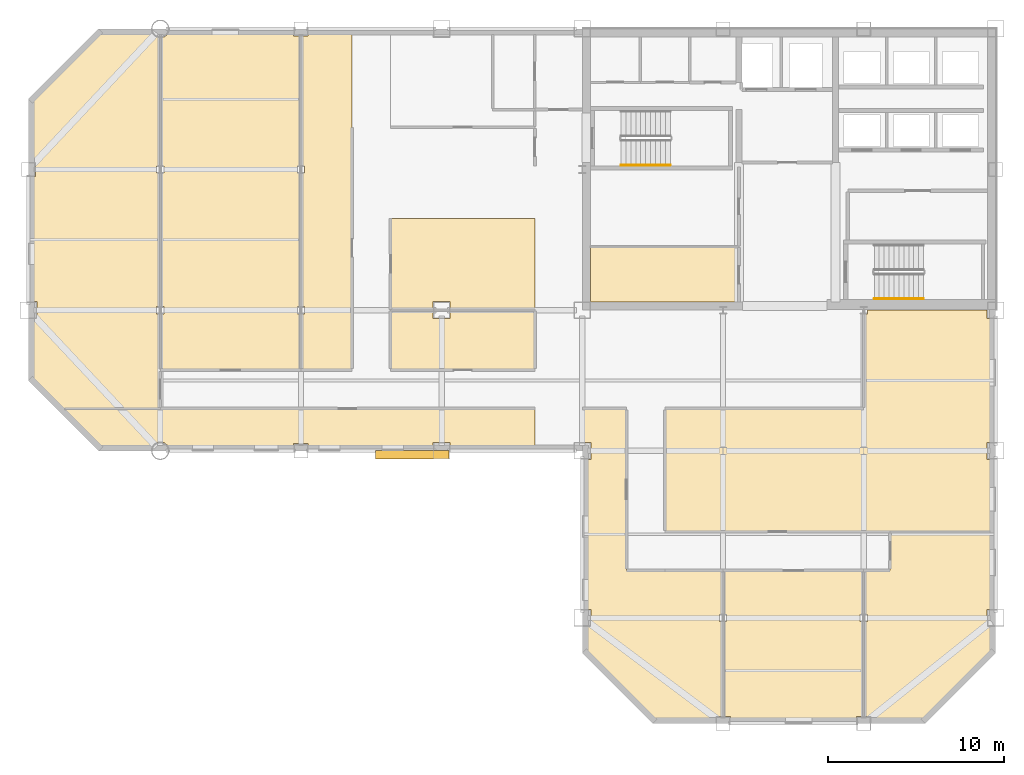
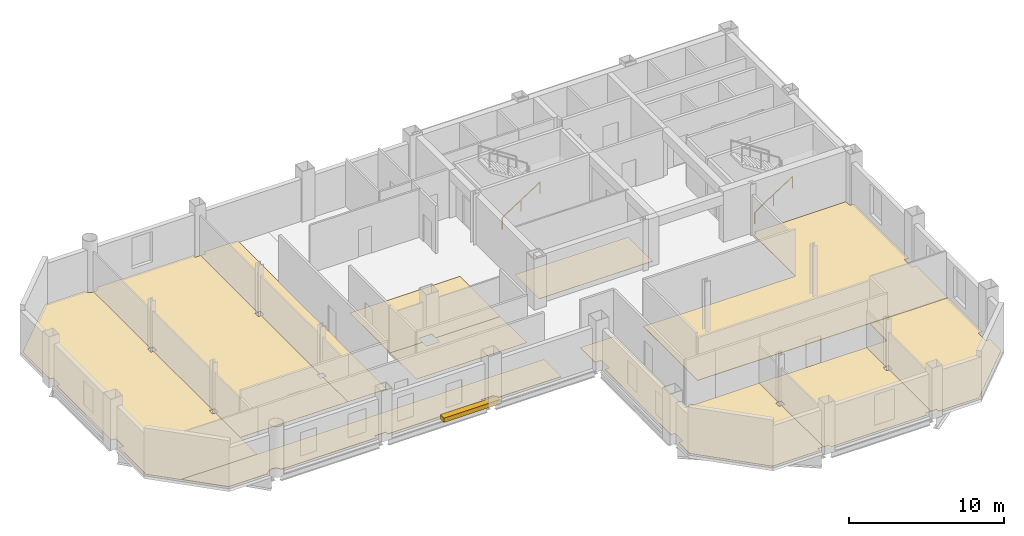
# One storey, part 7 of 9: 11 coverings, 2 railings, 1 shading device.
"""IFC4 building model written with IfcOpenShell, lengths in metres."""

from ifc_helpers import new_model, si_unit, direction, frame, origin, origin_2d, place, context, subcontext, project, spatial, polyline, rectangle, circle, outline, extrude, material, layer, layer_set, type_object, element, save


model = new_model("IFC4")

# Units and contexts
model_context = context("Model", 3, precision=1e-05, world=origin(), true_north=direction((0.0, 1.0)))
body_context = subcontext(model_context, "Body", "Model", "MODEL_VIEW")
ifc_project = project(units=[si_unit("LENGTHUNIT", "METRE"), si_unit("AREAUNIT", "SQUARE_METRE"), si_unit("VOLUMEUNIT", "CUBIC_METRE"), si_unit("PLANEANGLEUNIT", "RADIAN"), si_unit("MASSUNIT", "GRAM", prefix="KILO")], contexts=[model_context])

# Site, building, storey
site_placement = place(None, origin())
site = spatial("IfcSite", under=ifc_project, at=site_placement, CompositionType="ELEMENT")
building_placement = place(site_placement, origin())
building = spatial("IfcBuilding", under=site, at=building_placement, Name="Qianrong Seaharbour Tower", CompositionType="ELEMENT")
storey_placement = place(building_placement, frame((0.0, 0.0, 221.800048828125)))
storey = spatial("IfcBuildingStorey", under=building, at=storey_placement, Name="L53", CompositionType="ELEMENT", Elevation=221.800048828125)

# Coverings
ifc_material_1 = material(Name="Acoustic modular carpet tile flooring")
ifc_layer_1 = layer(ifc_material_1, 0.02001953125)
ifc_layer_set_1 = layer_set([ifc_layer_1], Name="Acoustic modular carpet tile flooring")
covering_type_1 = type_object("IfcCoveringType", Name="COV-FLOOR-CARPET-20", PredefinedType="FLOORING", material=ifc_layer_set_1)
covering_1_placement = place(storey_placement, origin())
element("IfcCovering", 1, at=covering_1_placement, inside=storey, type_object=covering_type_1, Name="L53 Wellness Room Finish Flooring", PredefinedType="FLOORING", context=body_context, shape_type="SweptSolid", body=[
    extrude(outline(polyline([(49.39990234375, 39.60009765625), (49.39990234375, 36.4599609375), (40.985107421875, 36.4599609375), (40.985107421875, 36.485107421875), (40.9599609375, 36.485107421875), (40.9599609375, 39.60009765625), (49.39990234375, 39.60009765625)])), origin(), (0.0, 0.0, 1.0), 0.02001953125),
])
covering_2_placement = place(storey_placement, origin())
element("IfcCovering", 2, at=covering_2_placement, inside=storey, type_object=covering_type_1, Name="L53 Boardroom 1 Finish Flooring", PredefinedType="FLOORING", context=body_context, shape_type="SweptSolid", body=[
    extrude(outline(polyline([(9.1650390625, 32.068359375), (9.1650390625, 35.514892578125), (9.485107421875, 35.514892578125), (9.485107421875, 36.485107421875), (9.1650390625, 36.485107421875), (9.1650390625, 43.590087890625), (9.409912109375, 43.590087890625), (9.409912109375, 44.409912109375), (9.1650390625, 44.409912109375), (9.1650390625, 47.931640625), (13.068359375, 51.8349609375), (16.019775390625, 51.8349609375), (16.02880859375, 51.8046875), (16.075927734375, 51.716796875), (16.139404296875, 51.639404296875), (16.216796875, 51.575927734375), (16.3046875, 51.52880859375), (16.400390625, 51.499755859375), (16.5, 51.489990234375), (16.5, 44.2099609375), (16.2900390625, 44.2099609375), (16.2900390625, 43.7900390625), (16.5, 43.7900390625), (16.5, 36.2099609375), (16.2900390625, 36.2099609375), (16.2900390625, 35.7900390625), (16.5, 35.7900390625), (16.5, 30.39990234375), (10.833251953125, 30.39990234375), (9.1650390625, 32.068359375)])), origin(), (0.0, 0.0, 1.0), 0.02001953125),
])
covering_3_placement = place(storey_placement, origin())
element("IfcCovering", 3, at=covering_3_placement, inside=storey, type_object=covering_type_1, Name="L53 Meeting Room 2 Finish Flooring", PredefinedType="FLOORING", context=body_context, shape_type="SweptSolid", body=[
    extrude(outline(polyline([(24.090087890625, 51.8349609375), (24.090087890625, 51.590087890625), (24.5, 51.590087890625), (24.5, 44.2099609375), (24.2900390625, 44.2099609375), (24.2900390625, 43.7900390625), (24.5, 43.7900390625), (24.5, 36.2099609375), (24.2900390625, 36.2099609375), (24.2900390625, 35.7900390625), (24.5, 35.7900390625), (24.5, 32.60009765625), (16.5, 32.60009765625), (16.5, 35.7900390625), (16.7099609375, 35.7900390625), (16.7099609375, 36.2099609375), (16.5, 36.2099609375), (16.5, 43.7900390625), (16.7099609375, 43.7900390625), (16.7099609375, 44.2099609375), (16.5, 44.2099609375), (16.5, 51.489990234375), (16.599609375, 51.499755859375), (16.6953125, 51.52880859375), (16.783203125, 51.575927734375), (16.860595703125, 51.639404296875), (16.924072265625, 51.716796875), (16.97119140625, 51.8046875), (16.980224609375, 51.8349609375), (24.090087890625, 51.8349609375)])), origin(), (0.0, 0.0, 1.0), 0.02001953125),
])
covering_4_placement = place(storey_placement, origin())
element("IfcCovering", 4, at=covering_4_placement, inside=storey, type_object=covering_type_1, Name="L53 Project Library 3 Finish Flooring", PredefinedType="FLOORING", context=body_context, shape_type="SweptSolid", body=[
    extrude(outline(polyline([(27.39990234375, 51.8349609375), (27.39990234375, 32.60009765625), (24.5, 32.60009765625), (24.5, 35.7900390625), (24.7099609375, 35.7900390625), (24.7099609375, 36.2099609375), (24.5, 36.2099609375), (24.5, 43.7900390625), (24.7099609375, 43.7900390625), (24.7099609375, 44.2099609375), (24.5, 44.2099609375), (24.5, 51.590087890625), (24.909912109375, 51.590087890625), (24.909912109375, 51.8349609375), (27.39990234375, 51.8349609375)])), origin(), (0.0, 0.0, 1.0), 0.02001953125),
])
covering_5_placement = place(storey_placement, origin())
element("IfcCovering", 5, at=covering_5_placement, inside=storey, type_object=covering_type_1, Name="L53 Harbour Lecture Hall 1 Finish Flooring", PredefinedType="FLOORING", context=body_context, shape_type="SweptSolid", body=[
    extrude(outline(polyline([(32.014892578125, 36.0), (32.014892578125, 35.514892578125), (32.985107421875, 35.514892578125), (32.985107421875, 36.0), (37.800048828125, 36.0), (37.800048828125, 32.60009765625), (29.60009765625, 32.60009765625), (29.60009765625, 36.0), (32.014892578125, 36.0)])), origin(), (0.0, 0.0, 1.0), 0.02001953125),
])
covering_6_placement = place(storey_placement, origin())
element("IfcCovering", 6, at=covering_6_placement, inside=storey, type_object=covering_type_1, Name="L53 Division Conference Gallery 2 Finish Flooring", PredefinedType="FLOORING", context=body_context, shape_type="SweptSolid", body=[
    extrude(outline(polyline([(37.800048828125, 41.199951171875), (37.800048828125, 36.0), (32.985107421875, 36.0), (32.985107421875, 36.485107421875), (32.014892578125, 36.485107421875), (32.014892578125, 36.0), (29.60009765625, 36.0), (29.60009765625, 41.199951171875), (37.800048828125, 41.199951171875)])), origin(), (0.0, 0.0, 1.0), 0.02001953125),
])
covering_7_placement = place(storey_placement, origin())
element("IfcCovering", 7, at=covering_7_placement, inside=storey, type_object=covering_type_1, Name="L53 Maritime Seminar Room 1 Finish Flooring", PredefinedType="FLOORING", context=body_context, shape_type="SweptSolid", body=[
    extrude(outline(polyline([(43.0, 21.199951171875), (48.5, 21.199951171875), (48.5, 18.7099609375), (48.2900390625, 18.7099609375), (48.2900390625, 18.2900390625), (48.5, 18.2900390625), (48.5, 12.909912109375), (48.090087890625, 12.909912109375), (48.090087890625, 12.6650390625), (44.568359375, 12.6650390625), (40.6650390625, 16.568359375), (40.6650390625, 18.014892578125), (40.985107421875, 18.014892578125), (40.985107421875, 18.985107421875), (40.6650390625, 18.985107421875), (40.6650390625, 27.514892578125), (40.985107421875, 27.514892578125), (40.985107421875, 28.485107421875), (40.5, 28.485107421875), (40.5, 30.39990234375), (43.0, 30.39990234375), (43.0, 21.199951171875)])), origin(), (0.0, 0.0, 1.0), 0.02001953125),
])
covering_8_placement = place(storey_placement, origin())
element("IfcCovering", 8, at=covering_8_placement, inside=storey, type_object=covering_type_1, Name="L53 Meeting Room 2 Finish Flooring", PredefinedType="FLOORING", context=body_context, shape_type="SweptSolid", body=[
    extrude(outline(polyline([(48.909912109375, 12.6650390625), (48.909912109375, 12.909912109375), (48.5, 12.909912109375), (48.5, 18.2900390625), (48.7099609375, 18.2900390625), (48.7099609375, 18.7099609375), (48.5, 18.7099609375), (48.5, 21.199951171875), (56.5, 21.199951171875), (56.5, 18.7099609375), (56.2900390625, 18.7099609375), (56.2900390625, 18.2900390625), (56.5, 18.2900390625), (56.5, 12.909912109375), (56.090087890625, 12.909912109375), (56.090087890625, 12.6650390625), (48.909912109375, 12.6650390625)])), origin(), (0.0, 0.0, 1.0), 0.02001953125),
])
covering_9_placement = place(storey_placement, origin())
element("IfcCovering", 9, at=covering_9_placement, inside=storey, type_object=covering_type_1, Name="L53 Standards Library 3 Finish Flooring", PredefinedType="FLOORING", context=body_context, shape_type="SweptSolid", body=[
    extrude(outline(polyline([(59.931640625, 12.6650390625), (56.909912109375, 12.6650390625), (56.909912109375, 12.909912109375), (56.5, 12.909912109375), (56.5, 18.2900390625), (56.7099609375, 18.2900390625), (56.7099609375, 18.7099609375), (56.5, 18.7099609375), (56.5, 21.199951171875), (58.0, 21.199951171875), (58.0, 23.39990234375), (63.8349609375, 23.39990234375), (63.8349609375, 18.985107421875), (63.514892578125, 18.985107421875), (63.514892578125, 18.014892578125), (63.8349609375, 18.014892578125), (63.8349609375, 16.568359375), (59.931640625, 12.6650390625)])), origin(), (0.0, 0.0, 1.0), 0.02001953125),
])
ifc_material_2 = material(Name="Calcium-sulphate raised access floor tile")
ifc_layer_2 = layer(ifc_material_2, 0.044921875)
ifc_layer_set_2 = layer_set([ifc_layer_2], Name="Calcium-sulphate raised access floor tile")
covering_type_2 = type_object("IfcCoveringType", Name="COV-FLOOR-RAISED-45", PredefinedType="FLOORING", material=ifc_layer_set_2)
covering_10_placement = place(storey_placement, origin())
element("IfcCovering", 10, at=covering_10_placement, inside=storey, type_object=covering_type_2, Name="L53 South Wing Open-Plan Office Finish Flooring", PredefinedType="FLOORING", context=body_context, shape_type="SweptSolid", body=[
    extrude(outline(polyline([(56.5, 30.39990234375), (56.5, 35.7900390625), (56.7099609375, 35.7900390625), (56.7099609375, 36.0), (63.514892578125, 36.0), (63.514892578125, 35.514892578125), (63.8349609375, 35.514892578125), (63.8349609375, 28.485107421875), (63.514892578125, 28.485107421875), (63.514892578125, 27.514892578125), (63.8349609375, 27.514892578125), (63.8349609375, 23.39990234375), (45.199951171875, 23.39990234375), (45.199951171875, 30.39990234375), (56.5, 30.39990234375)])), origin(), (0.0, 0.0, 1.0), 0.044921875),
])
covering_11_placement = place(storey_placement, origin())
element("IfcCovering", 11, at=covering_11_placement, inside=storey, type_object=covering_type_2, Name="L53 West Spine Open-Plan Office Finish Flooring", PredefinedType="FLOORING", context=body_context, shape_type="SweptSolid", body=[
    extrude(outline(polyline([(32.985107421875, 28.1650390625), (32.985107421875, 28.485107421875), (32.014892578125, 28.485107421875), (32.014892578125, 28.1650390625), (24.909912109375, 28.1650390625), (24.909912109375, 28.409912109375), (24.090087890625, 28.409912109375), (24.090087890625, 28.1650390625), (16.980224609375, 28.1650390625), (16.97119140625, 28.1953125), (16.924072265625, 28.283203125), (16.860595703125, 28.360595703125), (16.783203125, 28.424072265625), (16.6953125, 28.47119140625), (16.599609375, 28.500244140625), (16.5, 28.510009765625), (16.400390625, 28.500244140625), (16.3046875, 28.47119140625), (16.216796875, 28.424072265625), (16.139404296875, 28.360595703125), (16.075927734375, 28.283203125), (16.02880859375, 28.1953125), (16.019775390625, 28.1650390625), (13.068359375, 28.1650390625), (10.833251953125, 30.39990234375), (37.800048828125, 30.39990234375), (37.800048828125, 28.1650390625), (32.985107421875, 28.1650390625)])), origin(), (0.0, 0.0, 1.0), 0.044921875),
])

# Railings
ifc_material_3 = material(Name="Stainless steel SUS316L continuous handrail", Category="steel")
railing_type = type_object("IfcRailingType", Name="RAIL-STAIR-HANDRAIL-900", PredefinedType="HANDRAIL", material=ifc_material_3)
railing_1_placement = place(storey_placement, frame((42.699951171875, 44.25, 0.181884765625)))
element("IfcRailing", 12, at=railing_1_placement, inside=storey, type_object=railing_type, Name="L53 ST-1 stair handrail 1", PredefinedType="HANDRAIL", context=body_context, shape_type="SweptSolid", body=[
    extrude(circle(Radius=0.02392578125, at=origin_2d()), frame((0.0, 0.0, 0.8759765625), z_axis=(0.838705829183, 0.0, 0.544584733623), x_axis=(0.0, 1.0, 0.0)), (0.0, 0.0, 1.0), 3.338623046875),
    extrude(circle(Radius=0.02099609375, at=origin_2d()), origin(), (0.0, 0.0, 1.0), 0.851806640625),
    extrude(circle(Radius=0.02099609375, at=origin_2d()), frame((1.39990234375, 0.0, 0.9091796875)), (0.0, 0.0, 1.0), 0.851806640625),
    extrude(circle(Radius=0.02099609375, at=origin_2d()), frame((2.800048828125, 0.0, 1.818115234375)), (0.0, 0.0, 1.0), 0.851806640625),
])
railing_2_placement = place(storey_placement, frame((57.10009765625, 36.64990234375, 0.181884765625)))
element("IfcRailing", 13, at=railing_2_placement, inside=storey, type_object=railing_type, Name="L53 ST-2 stair handrail 1", PredefinedType="HANDRAIL", context=body_context, shape_type="SweptSolid", body=[
    extrude(circle(Radius=0.02392578125, at=origin_2d()), frame((0.0, 0.0, 0.8759765625), z_axis=(0.83868413941, 0.0, 0.544618136222), x_axis=(0.0, 1.0, 0.0)), (0.0, 0.0, 1.0), 3.33837890625),
    extrude(circle(Radius=0.02099609375, at=origin_2d()), origin(), (0.0, 0.0, 1.0), 0.851806640625),
    extrude(circle(Radius=0.02099609375, at=origin_2d()), frame((1.39990234375, 0.0, 0.9091796875)), (0.0, 0.0, 1.0), 0.851806640625),
    extrude(circle(Radius=0.02099609375, at=origin_2d()), frame((2.7998046875, 0.0, 1.818115234375)), (0.0, 0.0, 1.0), 0.851806640625),
])

# Shading device
ifc_material_4 = material(Name="White architectural precast concrete C45/55", Category="concrete")
shading_device_type = type_object("IfcShadingDeviceType", Name="SHD-SUNSHADE-WHITE-320", PredefinedType="AWNING", material=ifc_material_4)
shading_device_placement = place(storey_placement, frame((30.824951171875, 27.780029296875, -0.02001953125), z_axis=(0.0, 0.0, 1.0), x_axis=(1.0, 0.0, 0.0)))
element("IfcShadingDevice", 14, at=shading_device_placement, inside=storey, type_object=shading_device_type, Name="L53 Climbing White Precast Ribbon Canopy Fin", PredefinedType="AWNING", context=body_context, shape_type="SweptSolid", body=[
    extrude(rectangle(XDim=4.199951171875, YDim=0.4599609375, at=origin_2d()), origin(), (0.0, 0.0, 1.0), 0.340087890625),
])

save(model, "model.ifc")
